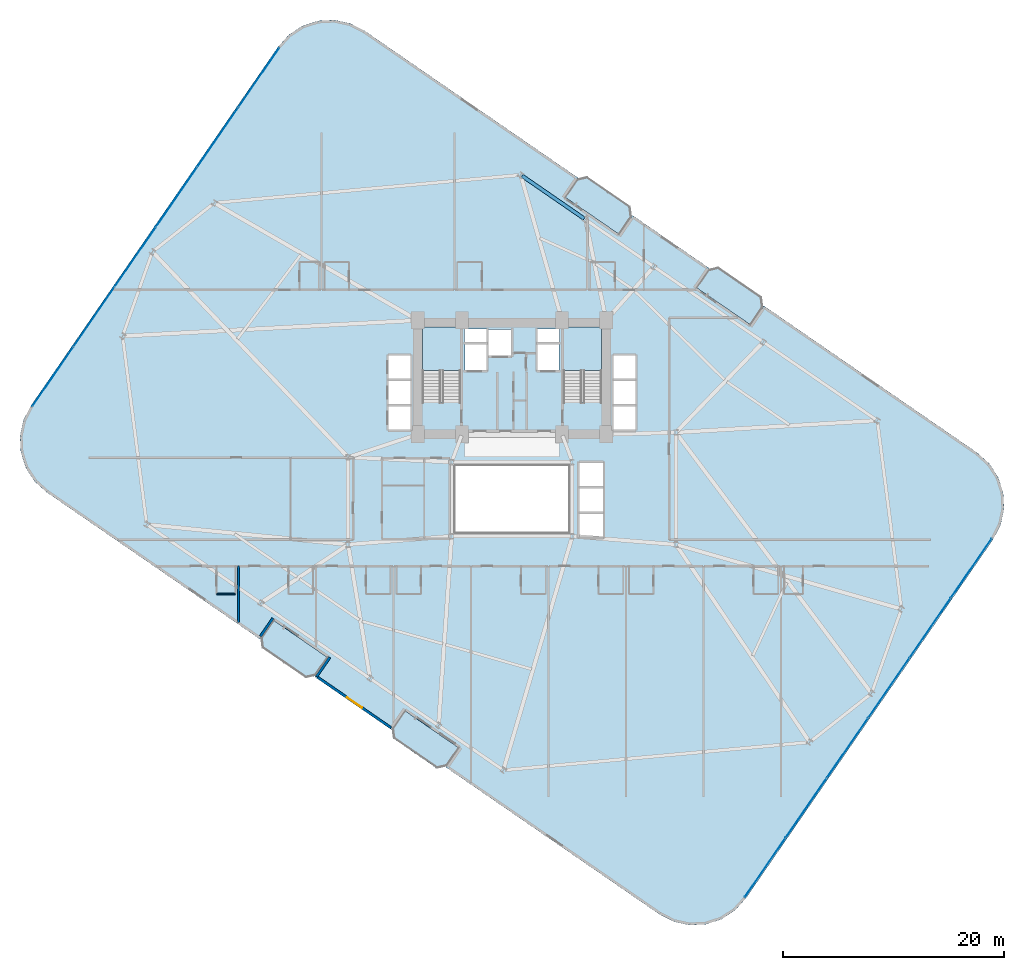
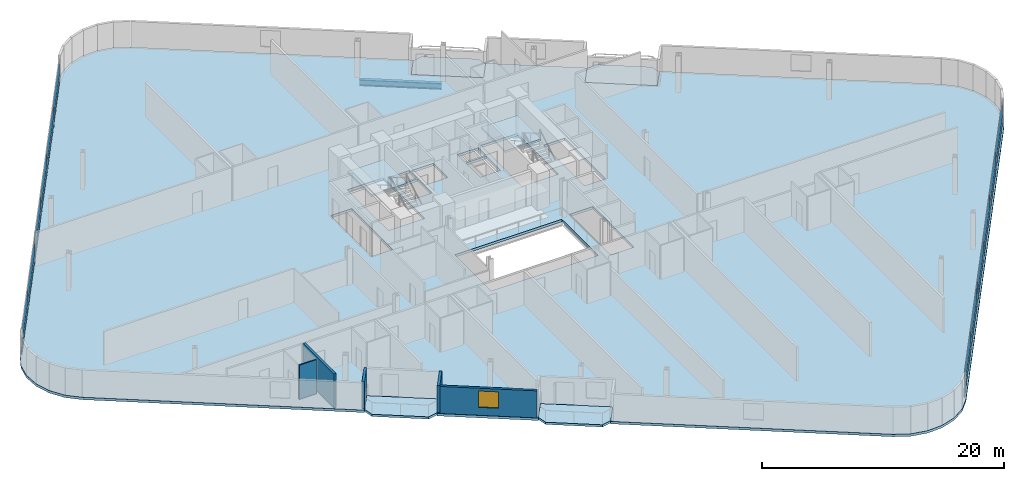
# One storey, part 16 of 25: 24 plates, 7 slabs, 5 walls, 1 beam, 1 window, 1 opening, 4 elements without a shape of their own.
"""IFC4 building model written with IfcOpenShell, lengths in metres."""

from ifc_helpers import new_model, si_unit, direction, frame, frame_2d, origin, origin_2d, place, context, subcontext, project, spatial, polyline, rectangle, i_section, outline, extrude, source, transform, mapped, material, layer, layer_set, material_profile, profile_set, type_object, element, fill, aggregate, save


model = new_model("IFC4")

# Units and contexts
model_context = context("Model", 3, precision=1e-05, world=origin(), true_north=direction((0.0, 1.0)))
body_context = subcontext(model_context, "Body", "Model", "MODEL_VIEW")
ifc_project = project(units=[si_unit("LENGTHUNIT", "METRE"), si_unit("AREAUNIT", "SQUARE_METRE"), si_unit("VOLUMEUNIT", "CUBIC_METRE"), si_unit("PLANEANGLEUNIT", "RADIAN"), si_unit("MASSUNIT", "GRAM", prefix="KILO")], contexts=[model_context])

# Site, building, storey
site_placement = place(None, origin())
site = spatial("IfcSite", under=ifc_project, at=site_placement, CompositionType="ELEMENT")
building_placement = place(site_placement, origin())
building = spatial("IfcBuilding", under=site, at=building_placement, Name="Varnelok Gate Tower", CompositionType="ELEMENT")
storey_placement = place(building_placement, frame((0.0, 0.0, 52.89990234375)))
storey = spatial("IfcBuildingStorey", under=building, at=storey_placement, Name="L12", CompositionType="ELEMENT", Elevation=52.89990234375)

# Beam
ifc_material_1 = material(Name="Structural Steel ASTM A992 Grade 50", Category="steel")
ifc_material_profile = material_profile(ifc_material_1, i_section(OverallWidth=0.323974609375, OverallDepth=0.611083984375, WebThickness=0.0126953125, FlangeThickness=0.01904296875, FilletRadius=0.01806640625, at=origin_2d()), Name="W24X104")
ifc_profile_set = profile_set([ifc_material_profile], Name="Structural Steel ASTM A992 Grade 50")
beam_type = type_object("IfcBeamType", Name="BM-SPN-W24X104", PredefinedType="SPANDREL", material=ifc_profile_set)
beam_placement = place(storey_placement, frame((45.708984375, 48.235107421875, -0.555419921875), z_axis=(-0.823553445566, 0.567238681947, 0.0), x_axis=(-0.567238681947, -0.823553445566, 0.0)))
element("IfcBeam", 1, at=beam_placement, inside=storey, type_object=beam_type, Name="L12 Perimeter Spandrel Beam 12", PredefinedType="SPANDREL", context=body_context, shape_type="SweptSolid", body=[
    extrude(i_section(OverallWidth=0.323974609375, OverallDepth=0.611083984375, WebThickness=0.0126953125, FlangeThickness=0.01904296875, FilletRadius=0.01806640625, at=origin_2d()), origin(), (0.0, 0.0, 1.0), 6.7998046875),
])

# Slabs
ifc_material_2 = material(Name="Concrete C45/55", Category="concrete")
ifc_layer_1 = layer(ifc_material_2, 0.219970703125)
ifc_layer_set_1 = layer_set([ifc_layer_1], Name="Concrete C45/55")
slab_type_1 = type_object("IfcSlabType", Name="SLB-BALC-220", PredefinedType="FLOOR", material=ifc_layer_set_1)
slab_1_placement = place(storey_placement, frame((0.0, 0.0, -0.219970703125)))
element("IfcSlab", 2, at=slab_1_placement, inside=storey, type_object=slab_type_1, Name="L12 South Hollow Balcony 1", PredefinedType="FLOOR", context=body_context, shape_type="SweptSolid", body=[
    extrude(outline(polyline([(16.5048828125, 10.3330078125), (16.67138671875, 9.42919921875), (20.5419921875, 6.762939453125), (21.446044921875, 6.929443359375), (22.58056640625, 8.57666015625), (17.639404296875, 11.980224609375), (16.5048828125, 10.3330078125)])), origin(), (0.0, 0.0, 1.0), 0.219970703125),
])
slab_2_placement = place(storey_placement, frame((0.0, 0.0, -0.219970703125)))
element("IfcSlab", 3, at=slab_2_placement, inside=storey, type_object=slab_type_1, Name="L12 South Hollow Balcony 2", PredefinedType="FLOOR", context=body_context, shape_type="SweptSolid", body=[
    extrude(outline(polyline([(28.36376953125, 2.164306640625), (28.5302734375, 1.260498046875), (32.40087890625, -1.40576171875), (33.304931640625, -1.2392578125), (34.439453125, 0.407958984375), (29.498291015625, 3.8115234375), (28.36376953125, 2.164306640625)])), origin(), (0.0, 0.0, 1.0), 0.219970703125),
])
slab_3_placement = place(storey_placement, frame((0.0, 0.0, -0.219970703125)))
element("IfcSlab", 4, at=slab_3_placement, inside=storey, type_object=slab_type_1, Name="L12 North Hollow Balcony 1", PredefinedType="FLOOR", context=body_context, shape_type="SweptSolid", body=[
    extrude(outline(polyline([(43.960693359375, 50.192138671875), (48.90185546875, 46.78857421875), (50.036376953125, 48.435546875), (49.869873046875, 49.339599609375), (45.999267578125, 52.005615234375), (45.09521484375, 51.839111328125), (43.960693359375, 50.192138671875)])), origin(), (0.0, 0.0, 1.0), 0.219970703125),
])
slab_4_placement = place(storey_placement, frame((0.0, 0.0, -0.219970703125)))
element("IfcSlab", 5, at=slab_4_placement, inside=storey, type_object=slab_type_1, Name="L12 North Hollow Balcony 2", PredefinedType="FLOOR", context=body_context, shape_type="SweptSolid", body=[
    extrude(outline(polyline([(55.819580078125, 42.0234375), (60.7607421875, 38.619873046875), (61.895263671875, 40.266845703125), (61.728515625, 41.1708984375), (57.85791015625, 43.837158203125), (56.9541015625, 43.67041015625), (55.819580078125, 42.0234375)])), origin(), (0.0, 0.0, 1.0), 0.219970703125),
])

# Stair, slab
ifc_material_3 = material(Name="Concrete C50/60", Category="concrete")
stair_type = type_object("IfcStairType", Name="STR-CORE-1650", PredefinedType="HALF_TURN_STAIR", material=ifc_material_3)
stair_1_placement = place(storey_placement, origin())
stair_1 = element("IfcStair", 6, at=stair_1_placement, inside=storey, type_object=stair_type, Name="L12 Exit Stair ST-1", PredefinedType="HALF_TURN_STAIR")
ifc_layer_2 = layer(ifc_material_2, 0.199951171875)
ifc_layer_set_2 = layer_set([ifc_layer_2], Name="Concrete C45/55")
slab_type_2 = type_object("IfcSlabType", Name="SLB-LAND-200", PredefinedType="LANDING", material=ifc_layer_set_2)
slab_5_placement = place(storey_placement, frame((0.0, 0.0, 1.650146484375)))
slab_5 = element("IfcSlab", 7, at=slab_5_placement, type_object=slab_type_2, Name="ST-1 landing 1", PredefinedType="LANDING", context=body_context, shape_type="SweptSolid", body=[
    extrude(outline(polyline([(34.550048828125, 34.5), (34.550048828125, 38.449951171875), (31.10009765625, 38.449951171875), (31.10009765625, 34.5), (34.550048828125, 34.5)])), origin(), (0.0, 0.0, 1.0), 0.199951171875),
])
aggregate(stair_1, [slab_5])

stair_2_placement = place(storey_placement, origin())
stair_2 = element("IfcStair", 8, at=stair_2_placement, inside=storey, type_object=stair_type, Name="L12 Exit Stair ST-2", PredefinedType="HALF_TURN_STAIR")
slab_6_placement = place(storey_placement, frame((0.0, 0.0, 1.650146484375)))
slab_6 = element("IfcSlab", 9, at=slab_6_placement, type_object=slab_type_2, Name="ST-2 landing 1", PredefinedType="LANDING", context=body_context, shape_type="SweptSolid", body=[
    extrude(outline(polyline([(47.300048828125, 34.5), (47.300048828125, 38.449951171875), (43.85009765625, 38.449951171875), (43.85009765625, 34.5), (47.300048828125, 34.5)])), origin(), (0.0, 0.0, 1.0), 0.199951171875),
])
aggregate(stair_2, [slab_6])

# Slab
ifc_layer_3 = layer(ifc_material_3, 0.25)
ifc_layer_set_3 = layer_set([ifc_layer_3], Name="Concrete C50/60")
slab_type_3 = type_object("IfcSlabType", Name="SLB-TYP-250", PredefinedType="FLOOR", material=ifc_layer_set_3)
slab_7_placement = place(storey_placement, frame((0.0, 0.0, -0.25)))
element("IfcSlab", 10, at=slab_7_placement, inside=storey, type_object=slab_type_3, Name="L12 Structural Floor Slab", PredefinedType="FLOOR", context=body_context, shape_type="SweptSolid", body=[
    extrude(outline(polyline([(-4.2578125, 31.3134765625), (-4.922607421875, 30.011474609375), (-5.22802734375, 28.581787109375), (-5.1533203125, 27.121826171875), (-4.702880859375, 25.731201171875), (-3.907958984375, 24.504150390625), (-2.822509765625, 23.52490234375), (7.7734375, 16.22607421875), (16.447998046875, 10.250732421875), (17.639404296875, 11.980224609375), (22.58056640625, 8.57666015625), (21.389404296875, 6.84716796875), (28.306884765625, 2.08203125), (29.498291015625, 3.8115234375), (34.439453125, 0.407958984375), (33.248046875, -1.321533203125), (41.922607421875, -7.296875), (52.518798828125, -14.595703125), (53.82080078125, -15.2607421875), (55.250244140625, -15.566162109375), (56.710205078125, -15.4912109375), (58.10107421875, -15.040771484375), (59.327880859375, -14.245849609375), (60.307373046875, -13.160400390625), (82.65771484375, 19.28662109375), (83.32275390625, 20.58837890625), (83.628173828125, 22.018310546875), (83.55322265625, 23.47802734375), (83.102783203125, 24.868896484375), (82.30810546875, 26.095703125), (81.22265625, 27.0751953125), (70.62646484375, 34.3740234375), (61.951904296875, 40.34912109375), (60.7607421875, 38.619873046875), (55.819580078125, 42.0234375), (57.0107421875, 43.752685546875), (50.093017578125, 48.517822265625), (48.90185546875, 46.78857421875), (43.960693359375, 50.192138671875), (45.15185546875, 51.92138671875), (36.477294921875, 57.896728515625), (25.881103515625, 65.195556640625), (24.579345703125, 65.860595703125), (23.149658203125, 66.166015625), (21.689697265625, 66.091064453125), (20.299072265625, 65.640869140625), (19.072021484375, 64.845947265625), (18.0927734375, 63.760498046875), (-4.2578125, 31.3134765625)]), holes=[polyline([(34.550048828125, 31.679931640625), (34.550048828125, 38.449951171875), (31.10009765625, 38.449951171875), (31.10009765625, 31.679931640625), (34.550048828125, 31.679931640625)]), polyline([(47.300048828125, 31.679931640625), (47.300048828125, 38.449951171875), (43.85009765625, 38.449951171875), (43.85009765625, 31.679931640625), (47.300048828125, 31.679931640625)]), polyline([(34.949951171875, 34.550048828125), (36.89990234375, 34.550048828125), (36.89990234375, 36.89990234375), (34.949951171875, 36.89990234375), (34.949951171875, 34.550048828125)]), polyline([(41.5, 34.550048828125), (43.449951171875, 34.550048828125), (43.449951171875, 36.89990234375), (41.5, 36.89990234375), (41.5, 34.550048828125)]), polyline([(37.050048828125, 35.85009765625), (39.14990234375, 35.85009765625), (39.14990234375, 38.199951171875), (37.050048828125, 38.199951171875), (37.050048828125, 35.85009765625)]), polyline([(28.050048828125, 29.14990234375), (30.050048828125, 29.14990234375), (30.050048828125, 35.89990234375), (28.050048828125, 35.89990234375), (28.050048828125, 29.14990234375)]), polyline([(48.35009765625, 29.14990234375), (50.35009765625, 29.14990234375), (50.35009765625, 35.89990234375), (48.35009765625, 35.89990234375), (48.35009765625, 29.14990234375)]), polyline([(45.25, 19.449951171875), (47.449951171875, 19.449951171875), (47.449951171875, 26.199951171875), (45.25, 26.199951171875), (45.25, 19.449951171875)]), polyline([(34.919921875, 37.080078125), (36.89990234375, 37.080078125), (36.89990234375, 38.280029296875), (34.919921875, 38.280029296875), (34.919921875, 37.080078125)]), polyline([(41.5, 37.080078125), (43.47998046875, 37.080078125), (43.47998046875, 38.280029296875), (41.5, 38.280029296875), (41.5, 37.080078125)]), polyline([(34.10009765625, 19.89990234375), (44.300048828125, 19.89990234375), (44.300048828125, 25.89990234375), (34.10009765625, 25.89990234375), (34.10009765625, 19.89990234375)])]), origin(), (0.0, 0.0, 1.0), 0.25),
])

# Curtain wall, plates
ifc_material_4 = material(Name="Anodized Aluminum Alloy 6063-T6", Category="aluminium")
ifc_layer_4 = layer(ifc_material_4, 0.179931640625)
ifc_layer_set_4 = layer_set([ifc_layer_4], Name="Anodized Aluminum Alloy 6063-T6")
curtain_wall_type = type_object("IfcCurtainWallType", Name="CW3-HOTEL-VISION", PredefinedType="USERDEFINED", material=ifc_layer_set_4)
curtain_wall_1_placement = place(storey_placement, origin())
curtain_wall_1 = element("IfcCurtainWall", 11, at=curtain_wall_1_placement, inside=storey, type_object=curtain_wall_type, Name="L12 West End Vision Curtain Wall", ObjectType="UNITISED CURTAIN WALL", PredefinedType="USERDEFINED")
ifc_material_5 = material(Name="Low-E Laminated Double Glazing IGU", Category="glass")
ifc_layer_5 = layer(ifc_material_5, 0.031982421875)
ifc_layer_set_5 = layer_set([ifc_layer_5], Name="Low-E Laminated Double Glazing IGU")
plate_type = type_object("IfcPlateType", Name="CW-PNL-IGU32", PredefinedType="CURTAIN_PANEL", material=ifc_layer_set_5)
shared_shape_1 = source(origin(), body_context, "Body", "SweptSolid", [
    extrude(rectangle(XDim=6.46923828125, YDim=0.031982421875, at=origin_2d()), origin(), (0.0, 0.0, 1.0), 0.802490234375),
])
plate_1_placement = place(storey_placement, frame((-2.270751953125, 33.951171875, 0.06494140625), z_axis=(0.0, 0.0, 1.0), x_axis=(0.567268822124, 0.823532685111, 0.0)))
plate_1 = element("IfcPlate", 12, at=plate_1_placement, type_object=plate_type, Name="CW3 panel 1.1", PredefinedType="CURTAIN_PANEL", context=body_context, shape_type="MappedRepresentation", body=[
    mapped(shared_shape_1, transform((0.0, 0.0, 0.0), scale=1.0)),
])
plate_2_placement = place(storey_placement, frame((16.336181640625, 60.9638671875, 0.06494140625), z_axis=(0.0, 0.0, 1.0), x_axis=(0.567268822124, 0.823532685111, 0.0)))
plate_2 = element("IfcPlate", 13, at=plate_2_placement, type_object=plate_type, Name="CW3 panel 6.1", PredefinedType="CURTAIN_PANEL", context=body_context, shape_type="MappedRepresentation", body=[
    mapped(shared_shape_1, transform((0.0, 0.0, 0.0), scale=1.0)),
])

curtain_wall_2_placement = place(storey_placement, origin())
curtain_wall_2 = element("IfcCurtainWall", 14, at=curtain_wall_2_placement, inside=storey, type_object=curtain_wall_type, Name="L12 East End Vision Curtain Wall", ObjectType="UNITISED CURTAIN WALL", PredefinedType="USERDEFINED")
plate_3_placement = place(storey_placement, frame((80.670654296875, 16.648681640625, 0.06494140625), z_axis=(0.0, 0.0, 1.0), x_axis=(-0.567268822124, -0.823532685111, 0.0)))
plate_3 = element("IfcPlate", 15, at=plate_3_placement, type_object=plate_type, Name="CW3 panel 1.1", PredefinedType="CURTAIN_PANEL", context=body_context, shape_type="MappedRepresentation", body=[
    mapped(shared_shape_1, transform((0.0, 0.0, 0.0), scale=1.0)),
])
plate_4_placement = place(storey_placement, frame((62.063720703125, -10.36376953125, 0.06494140625), z_axis=(0.0, 0.0, 1.0), x_axis=(-0.567268822124, -0.823532685111, 0.0)))
plate_4 = element("IfcPlate", 16, at=plate_4_placement, type_object=plate_type, Name="CW3 panel 6.1", PredefinedType="CURTAIN_PANEL", context=body_context, shape_type="MappedRepresentation", body=[
    mapped(shared_shape_1, transform((0.0, 0.0, 0.0), scale=1.0)),
])

# Plate
shared_shape_2 = source(origin(), body_context, "Body", "SweptSolid", [
    extrude(rectangle(XDim=6.46923828125, YDim=0.031982421875, at=origin_2d()), origin(), (0.0, 0.0, 1.0), 1.732421875),
])
plate_5_placement = place(storey_placement, frame((-2.270751953125, 33.951171875, 0.9326171875), z_axis=(0.0, 0.0, 1.0), x_axis=(0.567268822124, 0.823532685111, 0.0)))
plate_5 = element("IfcPlate", 17, at=plate_5_placement, type_object=plate_type, Name="CW3 panel 1.2", PredefinedType="CURTAIN_PANEL", context=body_context, shape_type="MappedRepresentation", body=[
    mapped(shared_shape_2, transform((0.0, 0.0, 0.0), scale=1.0)),
])

plate_6_placement = place(storey_placement, frame((16.336181640625, 60.9638671875, 0.9326171875), z_axis=(0.0, 0.0, 1.0), x_axis=(0.567268822124, 0.823532685111, 0.0)))
plate_6 = element("IfcPlate", 18, at=plate_6_placement, type_object=plate_type, Name="CW3 panel 6.2", PredefinedType="CURTAIN_PANEL", context=body_context, shape_type="MappedRepresentation", body=[
    mapped(shared_shape_2, transform((0.0, 0.0, 0.0), scale=1.0)),
])

plate_7_placement = place(storey_placement, frame((80.670654296875, 16.648681640625, 0.9326171875), z_axis=(0.0, 0.0, 1.0), x_axis=(-0.567268822124, -0.823532685111, 0.0)))
plate_7 = element("IfcPlate", 19, at=plate_7_placement, type_object=plate_type, Name="CW3 panel 1.2", PredefinedType="CURTAIN_PANEL", context=body_context, shape_type="MappedRepresentation", body=[
    mapped(shared_shape_2, transform((0.0, 0.0, 0.0), scale=1.0)),
])

plate_8_placement = place(storey_placement, frame((62.063720703125, -10.36376953125, 0.9326171875), z_axis=(0.0, 0.0, 1.0), x_axis=(-0.567268822124, -0.823532685111, 0.0)))
plate_8 = element("IfcPlate", 20, at=plate_8_placement, type_object=plate_type, Name="CW3 panel 6.2", PredefinedType="CURTAIN_PANEL", context=body_context, shape_type="MappedRepresentation", body=[
    mapped(shared_shape_2, transform((0.0, 0.0, 0.0), scale=1.0)),
])

shared_shape_3 = source(origin(), body_context, "Body", "SweptSolid", [
    extrude(rectangle(XDim=6.501708984375, YDim=0.031982421875, at=origin_2d()), origin(), (0.0, 0.0, 1.0), 0.802490234375),
])
plate_9_placement = place(storey_placement, frame((1.4453125, 39.345703125, 0.06494140625), z_axis=(0.0, 0.0, 1.0), x_axis=(0.567268822124, 0.823532685111, 0.0)))
plate_9 = element("IfcPlate", 21, at=plate_9_placement, type_object=plate_type, Name="CW3 panel 2.1", PredefinedType="CURTAIN_PANEL", context=body_context, shape_type="MappedRepresentation", body=[
    mapped(shared_shape_3, transform((0.0, 0.0, 0.0), scale=1.0)),
])

plate_10_placement = place(storey_placement, frame((5.170166015625, 44.753662109375, 0.06494140625), z_axis=(0.0, 0.0, 1.0), x_axis=(0.567268822124, 0.823532685111, 0.0)))
plate_10 = element("IfcPlate", 22, at=plate_10_placement, type_object=plate_type, Name="CW3 panel 3.1", PredefinedType="CURTAIN_PANEL", context=body_context, shape_type="MappedRepresentation", body=[
    mapped(shared_shape_3, transform((0.0, 0.0, 0.0), scale=1.0)),
])

plate_11_placement = place(storey_placement, frame((8.895263671875, 50.161376953125, 0.06494140625), z_axis=(0.0, 0.0, 1.0), x_axis=(0.567268822124, 0.823532685111, 0.0)))
plate_11 = element("IfcPlate", 23, at=plate_11_placement, type_object=plate_type, Name="CW3 panel 4.1", PredefinedType="CURTAIN_PANEL", context=body_context, shape_type="MappedRepresentation", body=[
    mapped(shared_shape_3, transform((0.0, 0.0, 0.0), scale=1.0)),
])

plate_12_placement = place(storey_placement, frame((12.620361328125, 55.5693359375, 0.06494140625), z_axis=(0.0, 0.0, 1.0), x_axis=(0.567268822124, 0.823532685111, 0.0)))
plate_12 = element("IfcPlate", 24, at=plate_12_placement, type_object=plate_type, Name="CW3 panel 5.1", PredefinedType="CURTAIN_PANEL", context=body_context, shape_type="MappedRepresentation", body=[
    mapped(shared_shape_3, transform((0.0, 0.0, 0.0), scale=1.0)),
])

plate_13_placement = place(storey_placement, frame((76.954833984375, 11.25439453125, 0.06494140625), z_axis=(0.0, 0.0, 1.0), x_axis=(-0.567268822124, -0.823532685111, 0.0)))
plate_13 = element("IfcPlate", 25, at=plate_13_placement, type_object=plate_type, Name="CW3 panel 2.1", PredefinedType="CURTAIN_PANEL", context=body_context, shape_type="MappedRepresentation", body=[
    mapped(shared_shape_3, transform((0.0, 0.0, 0.0), scale=1.0)),
])

plate_14_placement = place(storey_placement, frame((73.229736328125, 5.846435546875, 0.06494140625), z_axis=(0.0, 0.0, 1.0), x_axis=(-0.567268822124, -0.823532685111, 0.0)))
plate_14 = element("IfcPlate", 26, at=plate_14_placement, type_object=plate_type, Name="CW3 panel 3.1", PredefinedType="CURTAIN_PANEL", context=body_context, shape_type="MappedRepresentation", body=[
    mapped(shared_shape_3, transform((0.0, 0.0, 0.0), scale=1.0)),
])

plate_15_placement = place(storey_placement, frame((69.504638671875, 0.4384765625, 0.06494140625), z_axis=(0.0, 0.0, 1.0), x_axis=(-0.567268822124, -0.823532685111, 0.0)))
plate_15 = element("IfcPlate", 27, at=plate_15_placement, type_object=plate_type, Name="CW3 panel 4.1", PredefinedType="CURTAIN_PANEL", context=body_context, shape_type="MappedRepresentation", body=[
    mapped(shared_shape_3, transform((0.0, 0.0, 0.0), scale=1.0)),
])

plate_16_placement = place(storey_placement, frame((65.779541015625, -4.96923828125, 0.06494140625), z_axis=(0.0, 0.0, 1.0), x_axis=(-0.567268822124, -0.823532685111, 0.0)))
plate_16 = element("IfcPlate", 28, at=plate_16_placement, type_object=plate_type, Name="CW3 panel 5.1", PredefinedType="CURTAIN_PANEL", context=body_context, shape_type="MappedRepresentation", body=[
    mapped(shared_shape_3, transform((0.0, 0.0, 0.0), scale=1.0)),
])

shared_shape_4 = source(origin(), body_context, "Body", "SweptSolid", [
    extrude(rectangle(XDim=6.501708984375, YDim=0.031982421875, at=origin_2d()), origin(), (0.0, 0.0, 1.0), 1.732421875),
])
plate_17_placement = place(storey_placement, frame((1.4453125, 39.345703125, 0.9326171875), z_axis=(0.0, 0.0, 1.0), x_axis=(0.567268822124, 0.823532685111, 0.0)))
plate_17 = element("IfcPlate", 29, at=plate_17_placement, type_object=plate_type, Name="CW3 panel 2.2", PredefinedType="CURTAIN_PANEL", context=body_context, shape_type="MappedRepresentation", body=[
    mapped(shared_shape_4, transform((0.0, 0.0, 0.0), scale=1.0)),
])

plate_18_placement = place(storey_placement, frame((5.170166015625, 44.753662109375, 0.9326171875), z_axis=(0.0, 0.0, 1.0), x_axis=(0.567268822124, 0.823532685111, 0.0)))
plate_18 = element("IfcPlate", 30, at=plate_18_placement, type_object=plate_type, Name="CW3 panel 3.2", PredefinedType="CURTAIN_PANEL", context=body_context, shape_type="MappedRepresentation", body=[
    mapped(shared_shape_4, transform((0.0, 0.0, 0.0), scale=1.0)),
])

plate_19_placement = place(storey_placement, frame((8.895263671875, 50.161376953125, 0.9326171875), z_axis=(0.0, 0.0, 1.0), x_axis=(0.567268822124, 0.823532685111, 0.0)))
plate_19 = element("IfcPlate", 31, at=plate_19_placement, type_object=plate_type, Name="CW3 panel 4.2", PredefinedType="CURTAIN_PANEL", context=body_context, shape_type="MappedRepresentation", body=[
    mapped(shared_shape_4, transform((0.0, 0.0, 0.0), scale=1.0)),
])

plate_20_placement = place(storey_placement, frame((12.620361328125, 55.5693359375, 0.9326171875), z_axis=(0.0, 0.0, 1.0), x_axis=(0.567268822124, 0.823532685111, 0.0)))
plate_20 = element("IfcPlate", 32, at=plate_20_placement, type_object=plate_type, Name="CW3 panel 5.2", PredefinedType="CURTAIN_PANEL", context=body_context, shape_type="MappedRepresentation", body=[
    mapped(shared_shape_4, transform((0.0, 0.0, 0.0), scale=1.0)),
])

aggregate(curtain_wall_1, [plate_1, plate_5, plate_9, plate_17, plate_10, plate_18, plate_11, plate_19, plate_12, plate_20, plate_2, plate_6])

plate_21_placement = place(storey_placement, frame((76.954833984375, 11.25439453125, 0.9326171875), z_axis=(0.0, 0.0, 1.0), x_axis=(-0.567268822124, -0.823532685111, 0.0)))
plate_21 = element("IfcPlate", 33, at=plate_21_placement, type_object=plate_type, Name="CW3 panel 2.2", PredefinedType="CURTAIN_PANEL", context=body_context, shape_type="MappedRepresentation", body=[
    mapped(shared_shape_4, transform((0.0, 0.0, 0.0), scale=1.0)),
])

plate_22_placement = place(storey_placement, frame((73.229736328125, 5.846435546875, 0.9326171875), z_axis=(0.0, 0.0, 1.0), x_axis=(-0.567268822124, -0.823532685111, 0.0)))
plate_22 = element("IfcPlate", 34, at=plate_22_placement, type_object=plate_type, Name="CW3 panel 3.2", PredefinedType="CURTAIN_PANEL", context=body_context, shape_type="MappedRepresentation", body=[
    mapped(shared_shape_4, transform((0.0, 0.0, 0.0), scale=1.0)),
])

plate_23_placement = place(storey_placement, frame((69.504638671875, 0.4384765625, 0.9326171875), z_axis=(0.0, 0.0, 1.0), x_axis=(-0.567268822124, -0.823532685111, 0.0)))
plate_23 = element("IfcPlate", 35, at=plate_23_placement, type_object=plate_type, Name="CW3 panel 4.2", PredefinedType="CURTAIN_PANEL", context=body_context, shape_type="MappedRepresentation", body=[
    mapped(shared_shape_4, transform((0.0, 0.0, 0.0), scale=1.0)),
])

plate_24_placement = place(storey_placement, frame((65.779541015625, -4.96923828125, 0.9326171875), z_axis=(0.0, 0.0, 1.0), x_axis=(-0.567268822124, -0.823532685111, 0.0)))
plate_24 = element("IfcPlate", 36, at=plate_24_placement, type_object=plate_type, Name="CW3 panel 5.2", PredefinedType="CURTAIN_PANEL", context=body_context, shape_type="MappedRepresentation", body=[
    mapped(shared_shape_4, transform((0.0, 0.0, 0.0), scale=1.0)),
])

aggregate(curtain_wall_2, [plate_3, plate_7, plate_13, plate_21, plate_14, plate_22, plate_15, plate_23, plate_16, plate_24, plate_4, plate_8])

# Walls
ifc_layer_6 = layer(ifc_material_2, 0.219970703125)
ifc_layer_set_6 = layer_set([ifc_layer_6], Name="Concrete C45/55")
wall_type_1 = type_object("IfcWallType", Name="EW-BALC-220", PredefinedType="SOLIDWALL", material=ifc_layer_set_6)
wall_1_placement = place(storey_placement, frame((16.48828125, 10.5205078125, 0.0), z_axis=(0.0, 0.0, 1.0), x_axis=(0.567131976434, 0.823626930902, 0.0)))
element("IfcWall", 37, at=wall_1_placement, inside=storey, type_object=wall_type_1, Name="L12 Perimeter Facade Closure Wall 8", PredefinedType="SOLIDWALL", context=body_context, shape_type="SweptSolid", body=[
    extrude(rectangle(XDim=1.97509765625, YDim=0.219970703125, at=frame_2d((0.987548828125, 0.0))), origin(), (0.0, 0.0, 1.0), 2.72998046875),
])
wall_2_placement = place(storey_placement, frame((22.747314453125, 8.607421875, 0.0), z_axis=(0.0, 0.0, 1.0), x_axis=(-0.567219383419, -0.823566737474, 0.0)))
element("IfcWall", 38, at=wall_2_placement, inside=storey, type_object=wall_type_1, Name="L12 Perimeter Facade Closure Wall 9", PredefinedType="SOLIDWALL", context=body_context, shape_type="SweptSolid", body=[
    extrude(rectangle(XDim=2.10009765625, YDim=0.219970703125, at=frame_2d((1.050048828125, 0.0))), origin(), (0.0, 0.0, 1.0), 2.72998046875),
])

# Wall, opening, window
wall_3_placement = place(storey_placement, frame((21.6591796875, 6.806884765625, 0.0), z_axis=(0.0, 0.0, 1.0), x_axis=(0.823535360023, -0.567264938799, 0.0)))
wall_3 = element("IfcWall", 39, at=wall_3_placement, inside=storey, type_object=wall_type_1, Name="L12 Perimeter Facade Closure Wall 10", PredefinedType="SOLIDWALL", context=body_context, shape_type="SweptSolid", body=[
    extrude(rectangle(XDim=8.034912109375, YDim=0.219970703125, at=frame_2d((4.017578125, 0.0))), origin(), (0.0, 0.0, 1.0), 2.72998046875),
])
opening_placement = place(wall_3_placement, frame((3.1923828125, 0.0, 0.800048828125)))
opening = element("IfcOpeningElement", 40, at=opening_placement, cuts=wall_3, Name="Opening WN3", PredefinedType="OPENING", context=body_context, shape_type="SweptSolid", body=[
    extrude(rectangle(XDim=1.64990234375, YDim=1.64990234375, at=frame_2d((0.824951171875, 0.824951171875))), frame((0.0, 0.119873046875, 0.0), z_axis=(0.0, -1.0, 0.0), x_axis=(1.0, 0.0, 0.0)), (0.0, 0.0, 1.0), 0.239990234375),
])
window_type = type_object("IfcWindowType", Name="WN-HTL-1650", PartitioningType="SINGLE_PANEL", PredefinedType="WINDOW", material=ifc_material_5)
window_placement = place(opening_placement, origin())
window = element("IfcWindow", 41, at=window_placement, inside=storey, type_object=window_type, Name="L12 Perimeter Vision Window 10", OverallHeight=1.64990234375, OverallWidth=1.64990234375, PartitioningType="SINGLE_PANEL", PredefinedType="WINDOW", context=body_context, shape_type="SweptSolid", body=[
    extrude(rectangle(XDim=1.64990234375, YDim=1.64990234375, at=frame_2d((0.824951171875, 0.824951171875))), frame((0.0, 0.030029296875, 0.0), z_axis=(0.0, -1.0, 0.0), x_axis=(1.0, 0.0, 0.0)), (0.0, 0.0, 1.0), 0.06005859375),
])
fill(opening, window)

# Walls
ifc_material_6 = material(Name="Gypsum Plasterboard Acoustic Partition", Category="gypsum")
ifc_layer_7 = layer(ifc_material_6, 0.114990234375)
ifc_layer_set_7 = layer_set([ifc_layer_7], Name="Gypsum Plasterboard Acoustic Partition")
wall_type_2 = type_object("IfcWallType", Name="PW-ENS-125", PredefinedType="PARTITIONING", material=ifc_layer_set_7)
wall_4_placement = place(storey_placement, frame((12.550048828125, 14.330078125, 0.0), z_axis=(0.0, 0.0, 1.0), x_axis=(1.0, 0.0, 0.0)))
element("IfcWall", 42, at=wall_4_placement, inside=storey, type_object=wall_type_2, Name="Interior Partition", PredefinedType="PARTITIONING", context=body_context, shape_type="SweptSolid", body=[
    extrude(rectangle(XDim=1.64990234375, YDim=0.114990234375, at=frame_2d((0.824951171875, 0.0))), origin(), (0.0, 0.0, 1.0), 3.4501953125),
])
ifc_layer_8 = layer(ifc_material_6, 0.205078125)
ifc_layer_set_8 = layer_set([ifc_layer_8], Name="Gypsum Plasterboard Acoustic Partition")
wall_type_3 = type_object("IfcWallType", Name="PW-PARTY-200", PredefinedType="PARTITIONING", material=ifc_layer_set_8)
wall_5_placement = place(storey_placement, frame((14.5, 11.7626953125, 0.0), z_axis=(0.0, 0.0, 1.0), x_axis=(0.0, 1.0, 0.0)))
element("IfcWall", 43, at=wall_5_placement, inside=storey, type_object=wall_type_3, Name="L12 South Party Wall 1", PredefinedType="PARTITIONING", context=body_context, shape_type="SweptSolid", body=[
    extrude(rectangle(XDim=5.08740234375, YDim=0.205078125, at=frame_2d((2.543701171875, 0.0))), origin(), (0.0, 0.0, 1.0), 3.4501953125),
])

save(model, "model.ifc")
